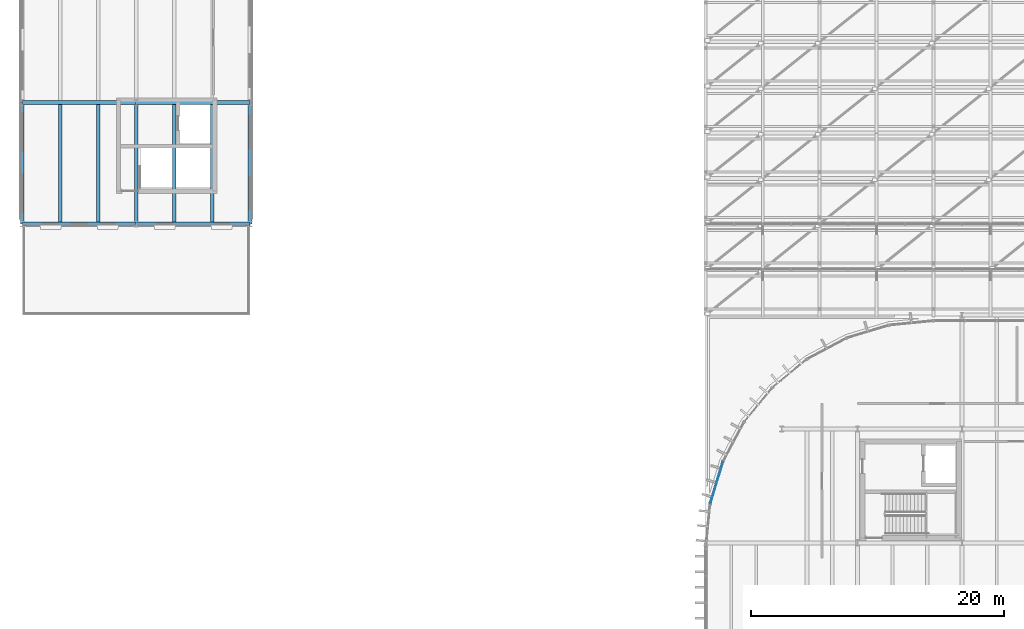
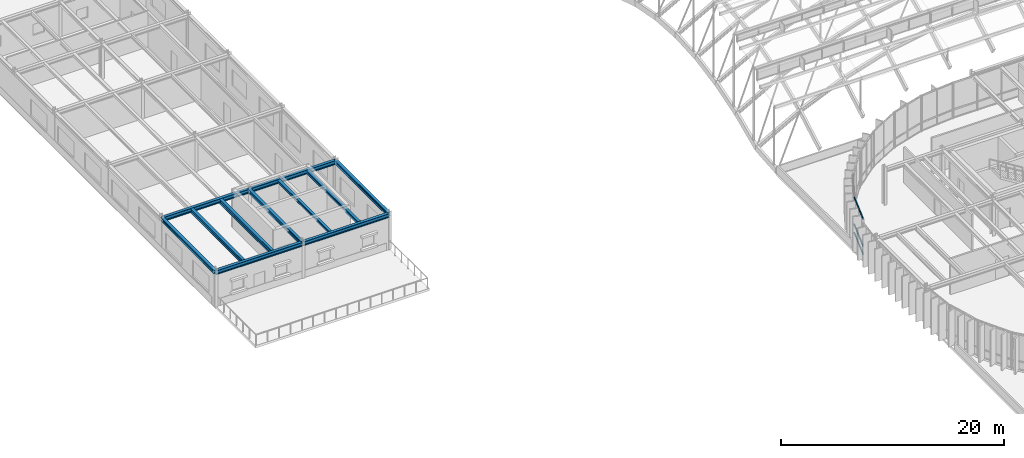
# One storey, part 11 of 69: 11 beams, 3 members, 1 element without a shape of its own.
"""IFC4 building model written with IfcOpenShell, lengths in metres."""

from ifc_helpers import new_model, si_unit, direction, frame, origin, origin_2d, place, context, subcontext, project, spatial, rectangle, i_section, extrude, material, layer, layer_set, material_profile, profile_set, type_object, element, aggregate, save


model = new_model("IFC4")

# Units and contexts
model_context = context("Model", 3, precision=1e-05, world=origin(), true_north=direction((0.0, 1.0)))
body_context = subcontext(model_context, "Body", "Model", "MODEL_VIEW")
ifc_project = project(units=[si_unit("LENGTHUNIT", "METRE"), si_unit("AREAUNIT", "SQUARE_METRE"), si_unit("VOLUMEUNIT", "CUBIC_METRE"), si_unit("PLANEANGLEUNIT", "RADIAN"), si_unit("MASSUNIT", "GRAM", prefix="KILO")], contexts=[model_context])

# Site, building, storey
site_placement = place(None, origin())
site = spatial("IfcSite", under=ifc_project, at=site_placement, CompositionType="ELEMENT")
building_placement = place(site_placement, origin())
building = spatial("IfcBuilding", under=site, at=building_placement, Name="Montealbar Specialist Clinic", CompositionType="ELEMENT")
storey_placement = place(building_placement, frame((0.0, 0.0, 9.60009765625)))
storey = spatial("IfcBuildingStorey", under=building, at=storey_placement, Name="L02", CompositionType="ELEMENT", Elevation=9.60009765625)

# Beams
ifc_material_1 = material(Name="Steel S355", Category="steel")
ifc_material_profile_1 = material_profile(ifc_material_1, i_section(OverallWidth=0.300048828125, OverallDepth=0.39990234375, WebThickness=0.013427734375, FlangeThickness=0.02392578125, FilletRadius=0.027099609375, at=origin_2d()), Name="HEB 400", Category="steel")
ifc_profile_set_1 = profile_set([ifc_material_profile_1], Name="Steel S355")
beam_type_1 = type_object("IfcBeamType", Name="BM-GIRD-HEB400-EXT", PredefinedType="BEAM", material=ifc_profile_set_1)
for number, where, z_axis, x_axis, name in (
    (1, (0.0, 52.199951171875, 3.72998046875), (0.0, 1.0, 0.0), (-1.0, 0.0, 0.0), "Beam GY-L02-0-522-618"),
    (2, (9.0, 52.199951171875, 3.72998046875), (0.0, 1.0, 0.0), (-1.0, 0.0, 0.0), "Beam GY-L02-90-522-618"),
    (3, (18.0, 52.199951171875, 3.72998046875), (0.0, 1.0, 0.0), (-1.0, 0.0, 0.0), "Beam GY-L02-180-522-618"),
):
    element("IfcBeam", number, at=place(storey_placement, frame(where, z_axis=z_axis, x_axis=x_axis)), inside=storey, type_object=beam_type_1, Name=name, PredefinedType="BEAM", context=body_context, shape_type="SweptSolid", body=[
        extrude(i_section(OverallWidth=0.300048828125, OverallDepth=0.39990234375, WebThickness=0.013427734375, FlangeThickness=0.02392578125, FilletRadius=0.027099609375, at=origin_2d()), origin(), (0.0, 0.0, 1.0), 9.60009765625),
    ])
ifc_material_profile_2 = material_profile(ifc_material_1, i_section(OverallWidth=0.300048828125, OverallDepth=0.449951171875, WebThickness=0.013916015625, FlangeThickness=0.02587890625, FilletRadius=0.027099609375, at=origin_2d()), Name="HEB 450", Category="steel")
ifc_profile_set_2 = profile_set([ifc_material_profile_2], Name="Steel S355")
beam_type_2 = type_object("IfcBeamType", Name="BM-GIRD-HEB450-EXT", PredefinedType="BEAM", material=ifc_profile_set_2)
for number, where, z_axis, x_axis, name in (
    (4, (0.0, 52.199951171875, 3.704833984375), (1.0, 0.0, 0.0), (0.0, 1.0, 0.0), "Beam GX-L02-0-90-522"),
    (5, (9.0, 52.199951171875, 3.704833984375), (1.0, 0.0, 0.0), (0.0, 1.0, 0.0), "Beam GX-L02-90-180-522"),
    (6, (0.0, 61.800048828125, 3.704833984375), (1.0, 0.0, 0.0), (0.0, 1.0, 0.0), "Beam GX-L02-0-90-618"),
    (7, (9.0, 61.800048828125, 3.704833984375), (1.0, 0.0, 0.0), (0.0, 1.0, 0.0), "Beam GX-L02-90-180-618"),
):
    element("IfcBeam", number, at=place(storey_placement, frame(where, z_axis=z_axis, x_axis=x_axis)), inside=storey, type_object=beam_type_2, Name=name, PredefinedType="BEAM", context=body_context, shape_type="SweptSolid", body=[
        extrude(i_section(OverallWidth=0.300048828125, OverallDepth=0.449951171875, WebThickness=0.013916015625, FlangeThickness=0.02587890625, FilletRadius=0.027099609375, at=origin_2d()), origin(), (0.0, 0.0, 1.0), 9.0),
    ])
ifc_material_profile_3 = material_profile(ifc_material_1, i_section(OverallWidth=0.300048828125, OverallDepth=0.43994140625, WebThickness=0.011474609375, FlangeThickness=0.02099609375, FilletRadius=0.027099609375, at=origin_2d()), Name="HEA 450", Category="steel")
ifc_profile_set_3 = profile_set([ifc_material_profile_3], Name="Steel S355")
beam_type_3 = type_object("IfcBeamType", Name="BM-JST-HEA450", PredefinedType="JOIST", material=ifc_profile_set_3)
beam_1_placement = place(storey_placement, frame((3.0, 52.35009765625, 3.7099609375), z_axis=(0.0, 1.0, 0.0), x_axis=(-1.0, 0.0, 0.0)))
element("IfcBeam", 8, at=beam_1_placement, inside=storey, type_object=beam_type_3, Name="Beam JST-L02-30-524-616", PredefinedType="JOIST", context=body_context, shape_type="SweptSolid", body=[
    extrude(i_section(OverallWidth=0.300048828125, OverallDepth=0.43994140625, WebThickness=0.011474609375, FlangeThickness=0.02099609375, FilletRadius=0.027099609375, at=origin_2d()), origin(), (0.0, 0.0, 1.0), 9.2998046875),
])
ifc_material_profile_4 = material_profile(ifc_material_1, i_section(OverallWidth=0.300048828125, OverallDepth=0.489990234375, WebThickness=0.011962890625, FlangeThickness=0.02294921875, FilletRadius=0.027099609375, at=origin_2d()), Name="HEA 500", Category="steel")
ifc_profile_set_4 = profile_set([ifc_material_profile_4], Name="Steel S355")
beam_type_4 = type_object("IfcBeamType", Name="BM-JST-HEA500", PredefinedType="JOIST", material=ifc_profile_set_4)
beam_2_placement = place(storey_placement, frame((6.0, 52.35009765625, 3.684814453125), z_axis=(0.0, 1.0, 0.0), x_axis=(-1.0, 0.0, 0.0)))
element("IfcBeam", 9, at=beam_2_placement, inside=storey, type_object=beam_type_4, Name="Beam JST-L02-60-524-616", PredefinedType="JOIST", context=body_context, shape_type="SweptSolid", body=[
    extrude(i_section(OverallWidth=0.300048828125, OverallDepth=0.489990234375, WebThickness=0.011962890625, FlangeThickness=0.02294921875, FilletRadius=0.027099609375, at=origin_2d()), origin(), (0.0, 0.0, 1.0), 9.2998046875),
])
ifc_material_profile_5 = material_profile(ifc_material_1, i_section(OverallWidth=0.280029296875, OverallDepth=0.280029296875, WebThickness=0.010498046875, FlangeThickness=0.01806640625, FilletRadius=0.02392578125, at=origin_2d()), Name="HEB 280", Category="steel")
ifc_profile_set_5 = profile_set([ifc_material_profile_5], Name="Steel S355")
beam_type_5 = type_object("IfcBeamType", Name="BM-JST-HEB280", PredefinedType="JOIST", material=ifc_profile_set_5)
beam_3_placement = place(storey_placement, frame((12.0, 52.35009765625, 3.789794921875), z_axis=(0.0, 1.0, 0.0), x_axis=(-1.0, 0.0, 0.0)))
element("IfcBeam", 10, at=beam_3_placement, inside=storey, type_object=beam_type_5, Name="Beam JST-L02-120-524-616", PredefinedType="JOIST", context=body_context, shape_type="SweptSolid", body=[
    extrude(i_section(OverallWidth=0.280029296875, OverallDepth=0.280029296875, WebThickness=0.010498046875, FlangeThickness=0.01806640625, FilletRadius=0.02392578125, at=origin_2d()), origin(), (0.0, 0.0, 1.0), 9.2998046875),
])
ifc_material_profile_6 = material_profile(ifc_material_1, i_section(OverallWidth=0.300048828125, OverallDepth=0.320068359375, WebThickness=0.011474609375, FlangeThickness=0.0205078125, FilletRadius=0.027099609375, at=origin_2d()), Name="HEB 320", Category="steel")
ifc_profile_set_6 = profile_set([ifc_material_profile_6], Name="Steel S355")
beam_type_6 = type_object("IfcBeamType", Name="BM-JST-HEB320", PredefinedType="JOIST", material=ifc_profile_set_6)
beam_4_placement = place(storey_placement, frame((15.0, 52.35009765625, 3.77001953125), z_axis=(0.0, 1.0, 0.0), x_axis=(-1.0, 0.0, 0.0)))
element("IfcBeam", 11, at=beam_4_placement, inside=storey, type_object=beam_type_6, Name="Beam JST-L02-150-524-616", PredefinedType="JOIST", context=body_context, shape_type="SweptSolid", body=[
    extrude(i_section(OverallWidth=0.300048828125, OverallDepth=0.320068359375, WebThickness=0.011474609375, FlangeThickness=0.0205078125, FilletRadius=0.027099609375, at=origin_2d()), origin(), (0.0, 0.0, 1.0), 9.2998046875),
])

# Curtain wall, members
ifc_material_2 = material(Name="Low-E double glazing", Category="glass")
ifc_layer = layer(ifc_material_2, 0.199951171875, Name="Low-E double glazing", Category="glass")
ifc_layer_set = layer_set([ifc_layer], Name="Low-E double glazing")
curtain_wall_type = type_object("IfcCurtainWallType", Name="CW-TYPE-12", PredefinedType="NOTDEFINED", material=ifc_layer_set)
curtain_wall_placement = place(storey_placement, origin())
curtain_wall = element("IfcCurtainWall", 12, at=curtain_wall_placement, inside=storey, type_object=curtain_wall_type, Name="Unitised Curtain Wall CW-L02-543-301-554-334-96", PredefinedType="NOTDEFINED")
ifc_material_3 = material(Name="Powder-coated aluminium", Category="aluminium")
ifc_material_profile_7 = material_profile(ifc_material_3, rectangle(XDim=0.070068359375, YDim=0.139892578125, at=origin_2d()), Name="ALU 70x140", Category="aluminium")
ifc_profile_set_7 = profile_set([ifc_material_profile_7], Name="Powder-coated aluminium")
member_type = type_object("IfcMemberType", Name="CW-TRN-140", PredefinedType="USERDEFINED", material=ifc_profile_set_7)
member_1_placement = place(storey_placement, frame((54.361083984375, 30.110107421875, 0.039794921875), z_axis=(0.290013326855, 0.957022606967, 0.0), x_axis=(-0.957022606967, 0.290013326855, 0.0)))
member_1 = element("IfcMember", 13, at=member_1_placement, type_object=member_type, Name="Curtain Wall Transom CW-L02-543-301-554-334-96-00", ObjectType="TRANSOM", PredefinedType="USERDEFINED", context=body_context, shape_type="SweptSolid", body=[
    extrude(rectangle(XDim=0.070068359375, YDim=0.139892578125, at=origin_2d()), origin(), (0.0, 0.0, 1.0), 3.427001953125),
])
member_2_placement = place(storey_placement, frame((54.361083984375, 30.110107421875, 0.949951171875), z_axis=(0.290013326855, 0.957022606967, 0.0), x_axis=(-0.957022606967, 0.290013326855, 0.0)))
member_2 = element("IfcMember", 14, at=member_2_placement, type_object=member_type, Name="Curtain Wall Transom CW-L02-543-301-554-334-96-01", ObjectType="TRANSOM", PredefinedType="USERDEFINED", context=body_context, shape_type="SweptSolid", body=[
    extrude(rectangle(XDim=0.070068359375, YDim=0.139892578125, at=origin_2d()), origin(), (0.0, 0.0, 1.0), 3.427001953125),
])
member_3_placement = place(storey_placement, frame((54.361083984375, 30.110107421875, 3.889892578125), z_axis=(0.290013326855, 0.957022606967, 0.0), x_axis=(-0.957022606967, 0.290013326855, 0.0)))
member_3 = element("IfcMember", 15, at=member_3_placement, type_object=member_type, Name="Curtain Wall Transom CW-L02-543-301-554-334-96-02", ObjectType="TRANSOM", PredefinedType="USERDEFINED", context=body_context, shape_type="SweptSolid", body=[
    extrude(rectangle(XDim=0.070068359375, YDim=0.139892578125, at=origin_2d()), origin(), (0.0, 0.0, 1.0), 3.427001953125),
])
aggregate(curtain_wall, [member_1, member_2, member_3])

save(model, "model.ifc")
